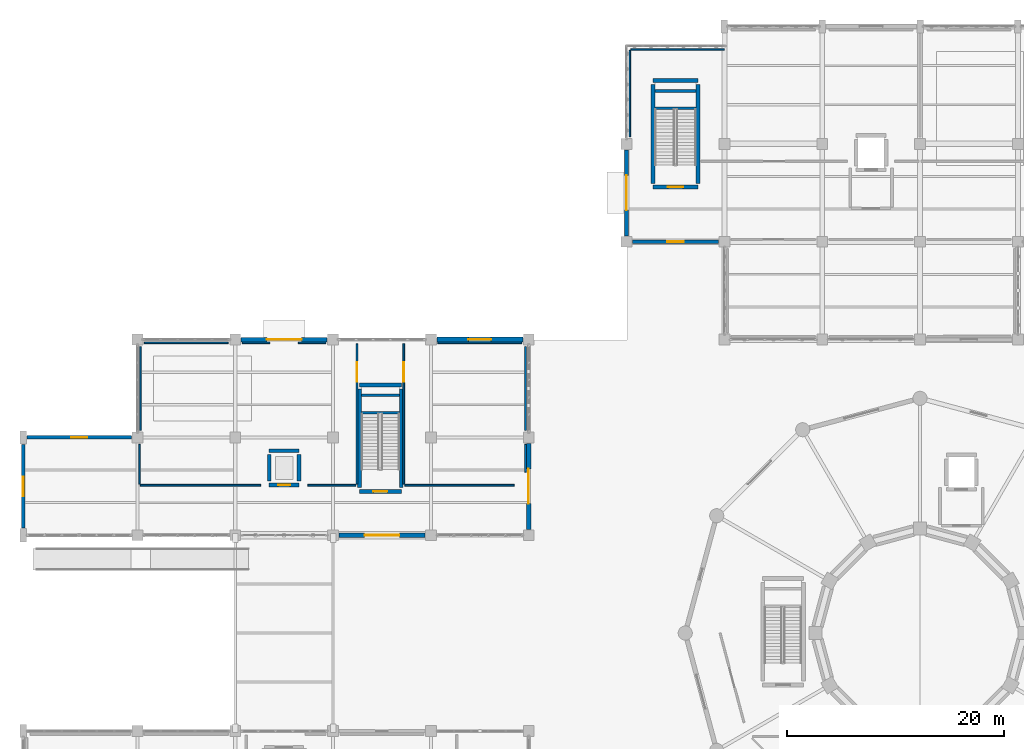
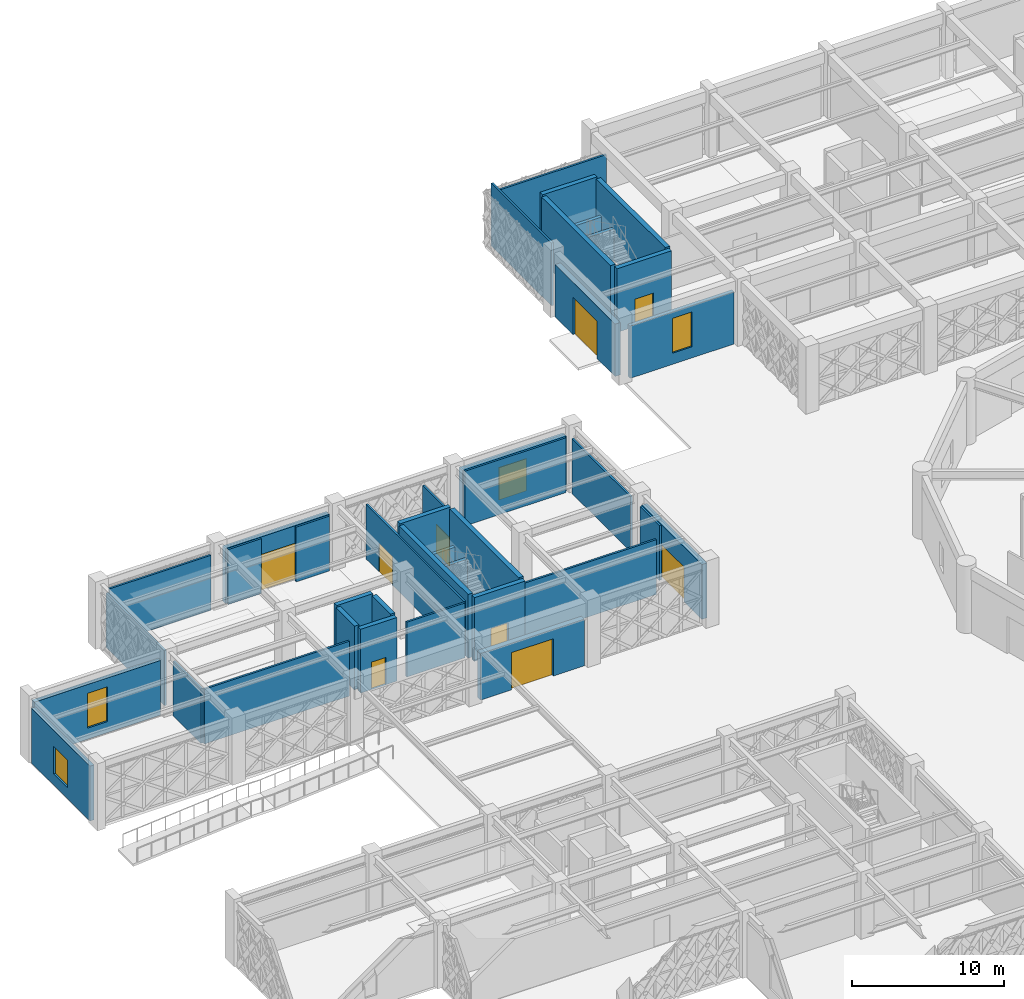
# One storey, part 118 of 140: 39 walls, 9 doors, 4 windows, 13 openings.
"""IFC4 building model written with IfcOpenShell, lengths in metres."""

from ifc_helpers import new_model, si_unit, direction, frame, frame_2d, origin, place, context, subcontext, project, spatial, rectangle, extrude, material, layer, layer_set, type_object, element, fill, save


model = new_model("IFC4")

# Units and contexts
model_context = context("Model", 3, precision=1e-05, world=origin(), true_north=direction((0.0, 1.0)))
body_context = subcontext(model_context, "Body", "Model", "MODEL_VIEW")
ifc_project = project(units=[si_unit("LENGTHUNIT", "METRE"), si_unit("AREAUNIT", "SQUARE_METRE"), si_unit("VOLUMEUNIT", "CUBIC_METRE"), si_unit("PLANEANGLEUNIT", "RADIAN"), si_unit("MASSUNIT", "GRAM", prefix="KILO")], contexts=[model_context])

# Site, building, storey
site_placement = place(None, origin())
site = spatial("IfcSite", under=ifc_project, at=site_placement, CompositionType="ELEMENT")
building_placement = place(site_placement, origin())
building = spatial("IfcBuilding", under=site, at=building_placement, Name="Haizhuo Lancet Aquarium", CompositionType="ELEMENT")
storey_placement = place(building_placement, origin())
storey = spatial("IfcBuildingStorey", under=building, at=storey_placement, Name="L00", CompositionType="ELEMENT", Elevation=0.0)

# Wall, opening, window
ifc_material_1 = material(Name="Shandong Grey Limestone Ashlar", Category="masonry")
ifc_layer_1 = layer(ifc_material_1, 0.280029296875)
ifc_layer_set_1 = layer_set([ifc_layer_1], Name="Shandong Grey Limestone Ashlar")
wall_type_1 = type_object("IfcWallType", Name="EWL-ASH-280", PredefinedType="SOLIDWALL", material=ifc_layer_set_1)
wall_1_placement = place(storey_placement, frame((-18.544921875, 36.0, 0.0), z_axis=(0.0, 0.0, 1.0), x_axis=(-1.0, 0.0, 0.0)))
wall_1 = element("IfcWall", 1, at=wall_1_placement, inside=storey, type_object=wall_type_1, Name="L00 V5 limestone facade wall 85", PredefinedType="SOLIDWALL", context=body_context, shape_type="SweptSolid", body=[
    extrude(rectangle(XDim=7.91015625, YDim=0.280029296875, at=frame_2d((3.955078125, 0.0))), origin(), (0.0, 0.0, 1.0), 4.205078125),
])
opening_1_placement = place(wall_1_placement, frame((3.205078125, 0.0, 0.89990234375)))
opening_1 = element("IfcOpeningElement", 2, at=opening_1_placement, cuts=wall_1, Name="Opening WN-03", PredefinedType="OPENING", context=body_context, shape_type="SweptSolid", body=[
    extrude(rectangle(XDim=1.5, YDim=2.800048828125, at=frame_2d((0.75, 1.39990234375))), frame((0.0, 0.14990234375, 0.0), z_axis=(0.0, -1.0, 0.0), x_axis=(1.0, 0.0, 0.0)), (0.0, 0.0, 1.0), 0.300029),
])
ifc_material_2 = material(Name="Laminated Low-E Glass", Category="glass")
window_type_1 = type_object("IfcWindowType", Name="WIN-LAN-1500x2800", PartitioningType="SINGLE_PANEL", PredefinedType="WINDOW", material=ifc_material_2)
window_1_placement = place(opening_1_placement, origin())
window_1 = element("IfcWindow", 3, at=window_1_placement, inside=storey, type_object=window_type_1, Name="L00 V5 lancet window 65", OverallHeight=2.800048828125, OverallWidth=1.5, PartitioningType="SINGLE_PANEL", PredefinedType="WINDOW", context=body_context, shape_type="SweptSolid", body=[
    extrude(rectangle(XDim=1.5, YDim=2.800048828125, at=frame_2d((0.75, 1.39990234375))), frame((0.0, 0.030029296875, 0.0), z_axis=(0.0, -1.0, 0.0), x_axis=(1.0, 0.0, 0.0)), (0.0, 0.0, 1.0), 0.06005859375),
])
fill(opening_1, window_1)

ifc_layer_2 = layer(ifc_material_1, 0.320068359375)
ifc_layer_set_2 = layer_set([ifc_layer_2], Name="Shandong Grey Limestone Ashlar")
wall_type_2 = type_object("IfcWallType", Name="EWL-ASH-320", PredefinedType="SOLIDWALL", material=ifc_layer_set_2)
wall_2_placement = place(storey_placement, frame((-82.155029296875, 18.0, 0.0), z_axis=(0.0, 0.0, 1.0), x_axis=(1.0, 0.0, 0.0)))
wall_2 = element("IfcWall", 4, at=wall_2_placement, inside=storey, type_object=wall_type_2, Name="L00 V2 limestone facade wall 49", PredefinedType="SOLIDWALL", context=body_context, shape_type="SweptSolid", body=[
    extrude(rectangle(XDim=9.610107421875, YDim=0.320068359375, at=frame_2d((4.80517578125, 0.0))), origin(), (0.0, 0.0, 1.0), 4.405029296875),
])
opening_2_placement = place(wall_2_placement, frame((4.054931640625, 0.0, 0.89990234375)))
opening_2 = element("IfcOpeningElement", 5, at=opening_2_placement, cuts=wall_2, Name="Opening WN-03", PredefinedType="OPENING", context=body_context, shape_type="SweptSolid", body=[
    extrude(rectangle(XDim=1.5, YDim=2.800048828125, at=frame_2d((0.75, 1.39990234375))), frame((0.0, 0.169921875, 0.0), z_axis=(0.0, -1.0, 0.0), x_axis=(1.0, 0.0, 0.0)), (0.0, 0.0, 1.0), 0.340068),
])
window_2_placement = place(opening_2_placement, origin())
window_2 = element("IfcWindow", 6, at=window_2_placement, inside=storey, type_object=window_type_1, Name="L00 V2 lancet window 45", OverallHeight=2.800048828125, OverallWidth=1.5, PartitioningType="SINGLE_PANEL", PredefinedType="WINDOW", context=body_context, shape_type="SweptSolid", body=[
    extrude(rectangle(XDim=1.5, YDim=2.800048828125, at=frame_2d((0.75, 1.39990234375))), frame((0.0, 0.030029296875, 0.0), z_axis=(0.0, -1.0, 0.0), x_axis=(1.0, 0.0, 0.0)), (0.0, 0.0, 1.0), 0.06005859375),
])
fill(opening_2, window_2)

wall_3_placement = place(storey_placement, frame((-82.5, 9.64501953125, 0.0), z_axis=(0.0, 0.0, 1.0), x_axis=(0.0, 1.0, 0.0)))
wall_3 = element("IfcWall", 7, at=wall_3_placement, inside=storey, type_object=wall_type_2, Name="L00 V2 limestone facade wall 54", PredefinedType="SOLIDWALL", context=body_context, shape_type="SweptSolid", body=[
    extrude(rectangle(XDim=7.7099609375, YDim=0.320068359375, at=frame_2d((3.85498046875, 0.0))), origin(), (0.0, 0.0, 1.0), 4.405029296875),
])
opening_3_placement = place(wall_3_placement, frame((2.955078125, 0.0, 0.89990234375)))
opening_3 = element("IfcOpeningElement", 8, at=opening_3_placement, cuts=wall_3, Name="Opening WN-06", PredefinedType="OPENING", context=body_context, shape_type="SweptSolid", body=[
    extrude(rectangle(XDim=1.800048828125, YDim=2.199951171875, at=frame_2d((0.89990234375, 1.10009765625))), frame((0.0, 0.169921875, 0.0), z_axis=(0.0, -1.0, 0.0), x_axis=(1.0, 0.0, 0.0)), (0.0, 0.0, 1.0), 0.340068),
])
window_type_2 = type_object("IfcWindowType", Name="WIN-LAN-1800x2200", PartitioningType="SINGLE_PANEL", PredefinedType="WINDOW", material=ifc_material_2)
window_3_placement = place(opening_3_placement, origin())
window_3 = element("IfcWindow", 9, at=window_3_placement, inside=storey, type_object=window_type_2, Name="L00 V2 lancet window 47", OverallHeight=2.199951171875, OverallWidth=1.800048828125, PartitioningType="SINGLE_PANEL", PredefinedType="WINDOW", context=body_context, shape_type="SweptSolid", body=[
    extrude(rectangle(XDim=1.800048828125, YDim=2.199951171875, at=frame_2d((0.89990234375, 1.10009765625))), frame((0.0, 0.030029296875, 0.0), z_axis=(0.0, -1.0, 0.0), x_axis=(1.0, 0.0, 0.0)), (0.0, 0.0, 1.0), 0.06005859375),
])
fill(opening_3, window_3)

# Wall, opening, door
ifc_layer_3 = layer(ifc_material_1, 0.39990234375)
ifc_layer_set_3 = layer_set([ifc_layer_3], Name="Shandong Grey Limestone Ashlar")
wall_type_3 = type_object("IfcWallType", Name="EWL-ASH-400", PredefinedType="SOLIDWALL", material=ifc_layer_set_3)
wall_4_placement = place(storey_placement, frame((-62.455078125, 27.0, 0.0), z_axis=(0.0, 0.0, 1.0), x_axis=(1.0, 0.0, 0.0)))
wall_4 = element("IfcWall", 10, at=wall_4_placement, inside=storey, type_object=wall_type_3, Name="L00 V2 pointed-arch limestone entrance portal wall", PredefinedType="SOLIDWALL", context=body_context, shape_type="SweptSolid", body=[
    extrude(rectangle(XDim=7.91015625, YDim=0.39990234375, at=frame_2d((3.955078125, 0.0))), origin(), (0.0, 0.0, 1.0), 4.405029296875),
])
opening_4_placement = place(wall_4_placement, frame((2.35498046875, 0.0, 0.0)))
opening_4 = element("IfcOpeningElement", 11, at=opening_4_placement, cuts=wall_4, Name="Opening ED-A", PredefinedType="OPENING", context=body_context, shape_type="SweptSolid", body=[
    extrude(rectangle(XDim=3.199951171875, YDim=3.0, at=frame_2d((1.60009765625, 1.5))), frame((0.0, 0.2099609375, 0.0), z_axis=(0.0, -1.0, 0.0), x_axis=(1.0, 0.0, 0.0)), (0.0, 0.0, 1.0), 0.419902),
])
ifc_material_3 = material(Name="Aluminium 6063-T6", Category="aluminium")
door_type_1 = type_object("IfcDoorType", Name="EDR-PORTAL-3200x3000", OperationType="NOTDEFINED", PredefinedType="DOOR", material=ifc_material_3)
door_1_placement = place(opening_4_placement, origin())
door_1 = element("IfcDoor", 12, at=door_1_placement, inside=storey, type_object=door_type_1, Name="Ground pedestrian entrance portal ED-05", OperationType="DOUBLE_DOOR_SINGLE_SWING", OverallHeight=3.0, OverallWidth=3.199951171875, PredefinedType="DOOR", context=body_context, shape_type="SweptSolid", body=[
    extrude(rectangle(XDim=3.199951171875, YDim=3.0, at=frame_2d((1.60009765625, 1.5))), frame((0.0, 0.02490234375, 0.0), z_axis=(0.0, -1.0, 0.0), x_axis=(1.0, 0.0, 0.0)), (0.0, 0.0, 1.0), 0.050048828125),
])
fill(opening_4, door_1)

wall_5_placement = place(storey_placement, frame((-36.0, 17.455078125, 0.0), z_axis=(0.0, 0.0, 1.0), x_axis=(0.0, -1.0, 0.0)))
wall_5 = element("IfcWall", 13, at=wall_5_placement, inside=storey, type_object=wall_type_3, Name="L00 V2 pointed-arch limestone entrance portal wall", PredefinedType="SOLIDWALL", context=body_context, shape_type="SweptSolid", body=[
    extrude(rectangle(XDim=7.91015625, YDim=0.39990234375, at=frame_2d((3.955078125, 0.0))), origin(), (0.0, 0.0, 1.0), 4.405029296875),
])
opening_5_placement = place(wall_5_placement, frame((2.35498046875, 0.0, 0.0)))
opening_5 = element("IfcOpeningElement", 14, at=opening_5_placement, cuts=wall_5, Name="Opening ED-B", PredefinedType="OPENING", context=body_context, shape_type="SweptSolid", body=[
    extrude(rectangle(XDim=3.199951171875, YDim=2.800048828125, at=frame_2d((1.60009765625, 1.39990234375))), frame((0.0, 0.2099609375, 0.0), z_axis=(0.0, -1.0, 0.0), x_axis=(1.0, 0.0, 0.0)), (0.0, 0.0, 1.0), 0.419902),
])
door_type_2 = type_object("IfcDoorType", Name="EDR-PORTAL-3200x2800", OperationType="NOTDEFINED", PredefinedType="DOOR", material=ifc_material_3)
door_2_placement = place(opening_5_placement, origin())
door_2 = element("IfcDoor", 15, at=door_2_placement, inside=storey, type_object=door_type_2, Name="Ground pedestrian entrance portal ED-06", OperationType="DOUBLE_DOOR_SINGLE_SWING", OverallHeight=2.800048828125, OverallWidth=3.199951171875, PredefinedType="DOOR", context=body_context, shape_type="SweptSolid", body=[
    extrude(rectangle(XDim=3.199951171875, YDim=2.800048828125, at=frame_2d((1.60009765625, 1.39990234375))), frame((0.0, 0.02490234375, 0.0), z_axis=(0.0, -1.0, 0.0), x_axis=(1.0, 0.0, 0.0)), (0.0, 0.0, 1.0), 0.050048828125),
])
fill(opening_5, door_2)

wall_6_placement = place(storey_placement, frame((-45.544921875, 9.0, 0.0), z_axis=(0.0, 0.0, 1.0), x_axis=(-1.0, 0.0, 0.0)))
wall_6 = element("IfcWall", 16, at=wall_6_placement, inside=storey, type_object=wall_type_3, Name="L00 V2 pointed-arch limestone entrance portal wall", PredefinedType="SOLIDWALL", context=body_context, shape_type="SweptSolid", body=[
    extrude(rectangle(XDim=7.91015625, YDim=0.39990234375, at=frame_2d((3.955078125, 0.0))), origin(), (0.0, 0.0, 1.0), 3.7548828125),
])
opening_6_placement = place(wall_6_placement, frame((2.35498046875, 0.0, 0.0)))
opening_6 = element("IfcOpeningElement", 17, at=opening_6_placement, cuts=wall_6, Name="Opening ED-A", PredefinedType="OPENING", context=body_context, shape_type="SweptSolid", body=[
    extrude(rectangle(XDim=3.199951171875, YDim=3.0, at=frame_2d((1.60009765625, 1.5))), frame((0.0, 0.2099609375, 0.0), z_axis=(0.0, -1.0, 0.0), x_axis=(1.0, 0.0, 0.0)), (0.0, 0.0, 1.0), 0.419902),
])
door_3_placement = place(opening_6_placement, origin())
door_3 = element("IfcDoor", 18, at=door_3_placement, inside=storey, type_object=door_type_1, Name="Ground pedestrian entrance portal ED-07", OperationType="DOUBLE_DOOR_SINGLE_SWING", OverallHeight=3.0, OverallWidth=3.199951171875, PredefinedType="DOOR", context=body_context, shape_type="SweptSolid", body=[
    extrude(rectangle(XDim=3.199951171875, YDim=3.0, at=frame_2d((1.60009765625, 1.5))), frame((0.0, 0.02490234375, 0.0), z_axis=(0.0, -1.0, 0.0), x_axis=(1.0, 0.0, 0.0)), (0.0, 0.0, 1.0), 0.050048828125),
])
fill(opening_6, door_3)

wall_7_placement = place(storey_placement, frame((-27.0, 36.544921875, 0.0), z_axis=(0.0, 0.0, 1.0), x_axis=(0.0, 1.0, 0.0)))
wall_7 = element("IfcWall", 19, at=wall_7_placement, inside=storey, type_object=wall_type_3, Name="L00 V5 pointed-arch limestone entrance portal wall", PredefinedType="SOLIDWALL", context=body_context, shape_type="SweptSolid", body=[
    extrude(rectangle(XDim=7.91015625, YDim=0.39990234375, at=frame_2d((3.955078125, 0.0))), origin(), (0.0, 0.0, 1.0), 4.205078125),
])
opening_7_placement = place(wall_7_placement, frame((2.35498046875, 0.0, 0.0)))
opening_7 = element("IfcOpeningElement", 20, at=opening_7_placement, cuts=wall_7, Name="Opening ED-A", PredefinedType="OPENING", context=body_context, shape_type="SweptSolid", body=[
    extrude(rectangle(XDim=3.199951171875, YDim=3.0, at=frame_2d((1.60009765625, 1.5))), frame((0.0, 0.2099609375, 0.0), z_axis=(0.0, -1.0, 0.0), x_axis=(1.0, 0.0, 0.0)), (0.0, 0.0, 1.0), 0.419902),
])
door_4_placement = place(opening_7_placement, origin())
door_4 = element("IfcDoor", 21, at=door_4_placement, inside=storey, type_object=door_type_1, Name="Ground pedestrian entrance portal ED-17", OperationType="DOUBLE_DOOR_SINGLE_SWING", OverallHeight=3.0, OverallWidth=3.199951171875, PredefinedType="DOOR", context=body_context, shape_type="SweptSolid", body=[
    extrude(rectangle(XDim=3.199951171875, YDim=3.0, at=frame_2d((1.60009765625, 1.5))), frame((0.0, 0.02490234375, 0.0), z_axis=(0.0, -1.0, 0.0), x_axis=(1.0, 0.0, 0.0)), (0.0, 0.0, 1.0), 0.050048828125),
])
fill(opening_7, door_4)

# Wall, opening, window
ifc_layer_4 = layer(ifc_material_1, 0.449951171875)
ifc_layer_set_4 = layer_set([ifc_layer_4], Name="Shandong Grey Limestone Ashlar")
wall_type_4 = type_object("IfcWallType", Name="EWL-ASH-450", PredefinedType="SOLIDWALL", material=ifc_layer_set_4)
wall_8_placement = place(storey_placement, frame((-44.455078125, 27.0, 0.0), z_axis=(0.0, 0.0, 1.0), x_axis=(1.0, 0.0, 0.0)))
wall_8 = element("IfcWall", 22, at=wall_8_placement, inside=storey, type_object=wall_type_4, Name="L00 V2 limestone facade wall 51", PredefinedType="SOLIDWALL", context=body_context, shape_type="SweptSolid", body=[
    extrude(rectangle(XDim=7.91015625, YDim=0.449951171875, at=frame_2d((3.955078125, 0.0))), origin(), (0.0, 0.0, 1.0), 4.405029296875),
])
opening_8_placement = place(wall_8_placement, frame((2.905029296875, 0.0, 0.89990234375)))
opening_8 = element("IfcOpeningElement", 23, at=opening_8_placement, cuts=wall_8, Name="Opening WN-07", PredefinedType="OPENING", context=body_context, shape_type="SweptSolid", body=[
    extrude(rectangle(XDim=2.10009765625, YDim=2.60009765625, at=frame_2d((1.050048828125, 1.300048828125))), frame((0.0, 0.23486328125, 0.0), z_axis=(0.0, -1.0, 0.0), x_axis=(1.0, 0.0, 0.0)), (0.0, 0.0, 1.0), 0.469951),
])
window_type_3 = type_object("IfcWindowType", Name="WIN-LAN-2100x2600", PartitioningType="SINGLE_PANEL", PredefinedType="WINDOW", material=ifc_material_2)
window_4_placement = place(opening_8_placement, origin())
window_4 = element("IfcWindow", 24, at=window_4_placement, inside=storey, type_object=window_type_3, Name="L00 V2 lancet window 46", OverallHeight=2.60009765625, OverallWidth=2.10009765625, PartitioningType="SINGLE_PANEL", PredefinedType="WINDOW", context=body_context, shape_type="SweptSolid", body=[
    extrude(rectangle(XDim=2.10009765625, YDim=2.60009765625, at=frame_2d((1.050048828125, 1.300048828125))), frame((0.0, 0.030029296875, 0.0), z_axis=(0.0, -1.0, 0.0), x_axis=(1.0, 0.0, 0.0)), (0.0, 0.0, 1.0), 0.06005859375),
])
fill(opening_8, window_4)

# Walls
ifc_material_4 = material(Name="Gypsum Fireboard Partition")
ifc_layer_5 = layer(ifc_material_4, 0.14990234375)
ifc_layer_set_5 = layer_set([ifc_layer_5], Name="Gypsum Fireboard Partition")
wall_type_5 = type_object("IfcWallType", Name="IWL-STD-150", PredefinedType="PARTITIONING", material=ifc_layer_set_5)
wall_9_placement = place(storey_placement, frame((-71.800048828125, 17.360107421875, 0.0), z_axis=(0.0, 0.0, 1.0), x_axis=(0.0, -1.0, 0.0)))
element("IfcWall", 25, at=wall_9_placement, inside=storey, type_object=wall_type_5, Name="L00 partition wall 91", PredefinedType="PARTITIONING", context=body_context, shape_type="SweptSolid", body=[
    extrude(rectangle(XDim=3.66015625, YDim=0.14990234375, at=frame_2d((1.830078125, 0.0))), origin(), (0.0, 0.0, 1.0), 4.405029296875),
])
wall_10_placement = place(storey_placement, frame((-71.719970703125, 13.60205078125, 0.0), z_axis=(0.0, 0.0, 1.0), x_axis=(0.999999984365, 0.000176834657, 0.0)))
element("IfcWall", 26, at=wall_10_placement, inside=storey, type_object=wall_type_5, Name="L00 partition wall 92", PredefinedType="PARTITIONING", context=body_context, shape_type="SweptSolid", body=[
    extrude(rectangle(XDim=11.044921875, YDim=0.14990234375, at=frame_2d((5.5224609375, 0.0))), origin(), (0.0, 0.0, 1.0), 4.405029296875),
])
wall_11_placement = place(storey_placement, frame((-56.324951171875, 13.60009765625, 0.0), z_axis=(0.0, 0.0, 1.0), x_axis=(1.0, 0.0, 0.0)))
element("IfcWall", 27, at=wall_11_placement, inside=storey, type_object=wall_type_5, Name="L00 partition wall 93", PredefinedType="PARTITIONING", context=body_context, shape_type="SweptSolid", body=[
    extrude(rectangle(XDim=4.425048828125, YDim=0.14990234375, at=frame_2d((2.21240234375, 0.0))), origin(), (0.0, 0.0, 1.0), 4.405029296875),
])

# Wall, opening, door
wall_12_placement = place(storey_placement, frame((-51.800048828125, 13.699951171875, 0.0), z_axis=(0.0, 0.0, 1.0), x_axis=(0.0, 1.0, 0.0)))
wall_12 = element("IfcWall", 28, at=wall_12_placement, inside=storey, type_object=wall_type_5, Name="L00 partition wall 94", PredefinedType="PARTITIONING", context=body_context, shape_type="SweptSolid", body=[
    extrude(rectangle(XDim=12.900146484375, YDim=0.14990234375, at=frame_2d((6.4501953125, 0.0))), origin(), (0.0, 0.0, 1.0), 4.405029296875),
])
opening_9_placement = place(wall_12_placement, frame((9.419921875, 0.0, 0.0)))
opening_9 = element("IfcOpeningElement", 29, at=opening_9_placement, cuts=wall_12, Name="Opening D-02", PredefinedType="OPENING", context=body_context, shape_type="SweptSolid", body=[
    extrude(rectangle(XDim=1.800048828125, YDim=2.300048828125, at=frame_2d((0.89990234375, 1.14990234375))), frame((0.0, 0.0849609375, 0.0), z_axis=(0.0, -1.0, 0.0), x_axis=(1.0, 0.0, 0.0)), (0.0, 0.0, 1.0), 0.169902),
])
door_type_3 = type_object("IfcDoorType", Name="IDR-GAL-1800x2300", OperationType="NOTDEFINED", PredefinedType="DOOR", material=ifc_material_3)
door_5_placement = place(opening_9_placement, origin())
door_5 = element("IfcDoor", 30, at=door_5_placement, inside=storey, type_object=door_type_3, Name="L00 Underwater Viewing Tunnel door", OperationType="DOUBLE_DOOR_SINGLE_SWING", OverallHeight=2.300048828125, OverallWidth=1.800048828125, PredefinedType="DOOR", context=body_context, shape_type="SweptSolid", body=[
    extrude(rectangle(XDim=1.800048828125, YDim=2.300048828125, at=frame_2d((0.89990234375, 1.14990234375))), frame((0.0, 0.02490234375, 0.0), z_axis=(0.0, -1.0, 0.0), x_axis=(1.0, 0.0, 0.0)), (0.0, 0.0, 1.0), 0.050048828125),
])
fill(opening_9, door_5)

# Walls
for number, where, z_axis, x_axis, name in (
    (31, (-54.64990234375, 26.699951171875, 0.0), (0.0, 0.0, 1.0), (-1.0, 0.0, 0.0), "L00 partition wall 95"),
    (32, (-59.81494140625, 26.699951171875, 0.0), (0.0, 0.0, 1.0), (-1.0, 0.0, 0.0), "L00 partition wall 96"),
):
    element("IfcWall", number, at=place(storey_placement, frame(where, z_axis=z_axis, x_axis=x_axis)), inside=storey, type_object=wall_type_5, Name=name, PredefinedType="PARTITIONING", context=body_context, shape_type="SweptSolid", body=[
        extrude(rectangle(XDim=2.53515625, YDim=0.14990234375, at=frame_2d((1.267578125, 0.0))), origin(), (0.0, 0.0, 1.0), 4.405029296875),
    ])
for number, where, z_axis, x_axis, name in (
    (33, (-63.64990234375, 26.699951171875, 0.0), (0.0, 0.0, 1.0), (-1.0, 0.0, 0.0), "L00 partition wall 97"),
    (34, (-71.699951171875, 26.35009765625, 0.0), (0.0, 0.0, 1.0), (0.0, -1.0, 0.0), "L00 partition wall 98"),
):
    element("IfcWall", number, at=place(storey_placement, frame(where, z_axis=z_axis, x_axis=x_axis)), inside=storey, type_object=wall_type_5, Name=name, PredefinedType="PARTITIONING", context=body_context, shape_type="SweptSolid", body=[
        extrude(rectangle(XDim=7.7001953125, YDim=0.14990234375, at=frame_2d((3.85009765625, 0.0))), origin(), (0.0, 0.0, 1.0), 4.405029296875),
    ])

# Wall, opening, door
wall_13_placement = place(storey_placement, frame((-47.498046875, 26.6201171875, 0.0), z_axis=(0.0, 0.0, 1.0), x_axis=(-0.000151168721, -0.999999988574, 0.0)))
wall_13 = element("IfcWall", 35, at=wall_13_placement, inside=storey, type_object=wall_type_5, Name="L00 partition wall 99", PredefinedType="PARTITIONING", context=body_context, shape_type="SweptSolid", body=[
    extrude(rectangle(XDim=12.920166015625, YDim=0.14990234375, at=frame_2d((6.4599609375, 0.0))), origin(), (0.0, 0.0, 1.0), 4.405029296875),
])
opening_10_placement = place(wall_13_placement, frame((1.68408203125, 0.0, 0.0)))
opening_10 = element("IfcOpeningElement", 36, at=opening_10_placement, cuts=wall_13, Name="Opening D-02", PredefinedType="OPENING", context=body_context, shape_type="SweptSolid", body=[
    extrude(rectangle(XDim=1.800048828125, YDim=2.300048828125, at=frame_2d((0.89990234375, 1.14990234375))), frame((0.0, 0.0849609375, 0.0), z_axis=(0.0, -1.0, 0.0), x_axis=(1.0, 0.0, 0.0)), (0.0, 0.0, 1.0), 0.169902),
])
door_6_placement = place(opening_10_placement, origin())
door_6 = element("IfcDoor", 37, at=door_6_placement, inside=storey, type_object=door_type_3, Name="L00 Pelagic Tunnel Exhibit Gallery door", OperationType="DOUBLE_DOOR_SINGLE_SWING", OverallHeight=2.300048828125, OverallWidth=1.800048828125, PredefinedType="DOOR", context=body_context, shape_type="SweptSolid", body=[
    extrude(rectangle(XDim=1.800048828125, YDim=2.300048828125, at=frame_2d((0.89990234375, 1.14990234375))), frame((0.0, 0.02490234375, 0.0), z_axis=(0.0, -1.0, 0.0), x_axis=(1.0, 0.0, 0.0)), (0.0, 0.0, 1.0), 0.050048828125),
])
fill(opening_10, door_6)

# Walls
wall_14_placement = place(storey_placement, frame((-47.39990234375, 13.60009765625, 0.0), z_axis=(0.0, 0.0, 1.0), x_axis=(1.0, 0.0, 0.0)))
element("IfcWall", 38, at=wall_14_placement, inside=storey, type_object=wall_type_5, Name="L00 partition wall 100", PredefinedType="PARTITIONING", context=body_context, shape_type="SweptSolid", body=[
    extrude(rectangle(XDim=10.054931640625, YDim=0.14990234375, at=frame_2d((5.02734375, 0.0))), origin(), (0.0, 0.0, 1.0), 4.405029296875),
])
wall_15_placement = place(storey_placement, frame((-36.300048828125, 14.81494140625, 0.0), z_axis=(0.0, 0.0, 1.0), x_axis=(0.0, 1.0, 0.0)))
element("IfcWall", 39, at=wall_15_placement, inside=storey, type_object=wall_type_5, Name="L00 partition wall 101", PredefinedType="PARTITIONING", context=body_context, shape_type="SweptSolid", body=[
    extrude(rectangle(XDim=2.53515625, YDim=0.14990234375, at=frame_2d((1.267578125, 0.0))), origin(), (0.0, 0.0, 1.0), 4.405029296875),
])
for number, where, z_axis, x_axis, name in (
    (40, (-36.300048828125, 18.64990234375, 0.0), (0.0, 0.0, 1.0), (0.0, 1.0, 0.0), "L00 partition wall 102"),
    (41, (-36.64990234375, 26.699951171875, 0.0), (0.0, 0.0, 1.0), (-1.0, 0.0, 0.0), "L00 partition wall 103"),
):
    element("IfcWall", number, at=place(storey_placement, frame(where, z_axis=z_axis, x_axis=x_axis)), inside=storey, type_object=wall_type_5, Name=name, PredefinedType="PARTITIONING", context=body_context, shape_type="SweptSolid", body=[
        extrude(rectangle(XDim=7.7001953125, YDim=0.14990234375, at=frame_2d((3.85009765625, 0.0))), origin(), (0.0, 0.0, 1.0), 4.405029296875),
    ])
wall_16_placement = place(storey_placement, frame((-18.0009765625, 53.699951171875, 0.0), z_axis=(0.0, 0.0, 1.0), x_axis=(-1.0, 0.0, 0.0)))
element("IfcWall", 42, at=wall_16_placement, inside=storey, type_object=wall_type_5, Name="L00 partition wall 160", PredefinedType="PARTITIONING", context=body_context, shape_type="SweptSolid", body=[
    extrude(rectangle(XDim=8.59912109375, YDim=0.14990234375, at=frame_2d((4.299560546875, 0.0))), origin(), (0.0, 0.0, 1.0), 4.2548828125),
])
wall_17_placement = place(storey_placement, frame((-26.699951171875, 53.60009765625, 0.0), z_axis=(0.0, 0.0, 1.0), x_axis=(0.0, -1.0, 0.0)))
element("IfcWall", 43, at=wall_17_placement, inside=storey, type_object=wall_type_5, Name="L00 partition wall 161", PredefinedType="PARTITIONING", context=body_context, shape_type="SweptSolid", body=[
    extrude(rectangle(XDim=7.9501953125, YDim=0.14990234375, at=frame_2d((3.97509765625, 0.0))), origin(), (0.0, 0.0, 1.0), 5.050048828125),
])
ifc_material_5 = material(Name="Concrete C40/50", Category="concrete")
ifc_layer_6 = layer(ifc_material_5, 0.35009765625)
ifc_layer_set_6 = layer_set([ifc_layer_6], Name="Concrete C40/50")
wall_type_6 = type_object("IfcWallType", Name="WL-CORE-350", PredefinedType="SHEAR", material=ifc_layer_set_6)
for number, where, z_axis, x_axis, name in (
    (44, (-51.39990234375, 20.27490234375, 0.0), (0.0, 0.0, 1.0), (1.0, 0.0, 0.0), "L00 ST-03 landing support wall"),
    (45, (-51.39990234375, 21.875, 0.0), (0.0, 0.0, 1.0), (1.0, 0.0, 0.0), "L00 ST-03 far landing support wall"),
):
    element("IfcWall", number, at=place(storey_placement, frame(where, z_axis=z_axis, x_axis=x_axis)), inside=storey, type_object=wall_type_6, Name=name, PredefinedType="SHEAR", context=body_context, shape_type="SweptSolid", body=[
        extrude(rectangle(XDim=3.5, YDim=0.25, at=frame_2d((1.75, 0.0))), origin(), (0.0, 0.0, 1.0), 2.5),
    ])

# Wall, opening, door
wall_18_placement = place(storey_placement, frame((-47.72509765625, 13.02490234375, 0.0), z_axis=(0.0, 0.0, 1.0), x_axis=(-1.0, 0.0, 0.0)))
wall_18 = element("IfcWall", 46, at=wall_18_placement, inside=storey, type_object=wall_type_6, Name="L00 ST-03 core shear wall S", PredefinedType="SHEAR", context=body_context, shape_type="SweptSolid", body=[
    extrude(rectangle(XDim=3.849853515625, YDim=0.35009765625, at=frame_2d((1.9248046875, 0.0))), origin(), (0.0, 0.0, 1.0), 5.1201171875),
])
opening_11_placement = place(wall_18_placement, frame((1.27490234375, 0.0, 0.0)))
opening_11 = element("IfcOpeningElement", 47, at=opening_11_placement, cuts=wall_18, Name="Opening FD-02", PredefinedType="OPENING", context=body_context, shape_type="SweptSolid", body=[
    extrude(rectangle(XDim=1.300048828125, YDim=2.199951171875, at=frame_2d((0.64990234375, 1.10009765625))), frame((0.0, 0.18505859375, 0.0), z_axis=(0.0, -1.0, 0.0), x_axis=(1.0, 0.0, 0.0)), (0.0, 0.0, 1.0), 0.370098),
])
ifc_material_6 = material(Name="Steel S355", Category="steel")
door_type_4 = type_object("IfcDoorType", Name="IDR-STAIR-1300x2200", OperationType="NOTDEFINED", PredefinedType="DOOR", material=ifc_material_6)
door_7_placement = place(opening_11_placement, origin())
door_7 = element("IfcDoor", 48, at=door_7_placement, inside=storey, type_object=door_type_4, Name="L00 ST-03 stairwell fire door", OperationType="SINGLE_SWING_RIGHT", OverallHeight=2.199951171875, OverallWidth=1.300048828125, PredefinedType="DOOR", context=body_context, shape_type="SweptSolid", body=[
    extrude(rectangle(XDim=1.300048828125, YDim=2.199951171875, at=frame_2d((0.64990234375, 1.10009765625))), frame((0.0, 0.02490234375, 0.0), z_axis=(0.0, -1.0, 0.0), x_axis=(1.0, 0.0, 0.0)), (0.0, 0.0, 1.0), 0.050048828125),
])
fill(opening_11, door_7)

# Walls
wall_19_placement = place(storey_placement, frame((-51.574951171875, 22.824951171875, 0.0), z_axis=(0.0, 0.0, 1.0), x_axis=(1.0, 0.0, 0.0)))
element("IfcWall", 49, at=wall_19_placement, inside=storey, type_object=wall_type_6, Name="L00 ST-03 core shear wall N", PredefinedType="SHEAR", context=body_context, shape_type="SweptSolid", body=[
    extrude(rectangle(XDim=3.849853515625, YDim=0.35009765625, at=frame_2d((1.9248046875, 0.0))), origin(), (0.0, 0.0, 1.0), 5.1201171875),
])
for number, where, z_axis, x_axis, name in (
    (50, (-51.574951171875, 13.375, 0.0), (0.0, 0.0, 1.0), (0.0, 1.0, 0.0), "L00 ST-03 core shear wall W"),
    (51, (-47.72509765625, 13.375, 0.0), (0.0, 0.0, 1.0), (0.0, 1.0, 0.0), "L00 ST-03 core shear wall E"),
):
    element("IfcWall", number, at=place(storey_placement, frame(where, z_axis=z_axis, x_axis=x_axis)), inside=storey, type_object=wall_type_6, Name=name, PredefinedType="SHEAR", context=body_context, shape_type="SweptSolid", body=[
        extrude(rectangle(XDim=9.10009765625, YDim=0.35009765625, at=frame_2d((4.550048828125, 0.0))), origin(), (0.0, 0.0, 1.0), 5.1201171875),
    ])
for number, where, z_axis, x_axis, name in (
    (52, (-24.39990234375, 48.27490234375, 0.0), (0.0, 0.0, 1.0), (1.0, 0.0, 0.0), "L00 ST-07 landing support wall"),
    (53, (-24.39990234375, 49.875, 0.0), (0.0, 0.0, 1.0), (1.0, 0.0, 0.0), "L00 ST-07 far landing support wall"),
):
    element("IfcWall", number, at=place(storey_placement, frame(where, z_axis=z_axis, x_axis=x_axis)), inside=storey, type_object=wall_type_6, Name=name, PredefinedType="SHEAR", context=body_context, shape_type="SweptSolid", body=[
        extrude(rectangle(XDim=3.7998046875, YDim=0.25, at=frame_2d((1.89990234375, 0.0))), origin(), (0.0, 0.0, 1.0), 2.5),
    ])

# Wall, opening, door
wall_20_placement = place(storey_placement, frame((-20.425048828125, 41.02490234375, 0.0), z_axis=(0.0, 0.0, 1.0), x_axis=(-1.0, 0.0, 0.0)))
wall_20 = element("IfcWall", 54, at=wall_20_placement, inside=storey, type_object=wall_type_6, Name="L00 ST-07 core shear wall S", PredefinedType="SHEAR", context=body_context, shape_type="SweptSolid", body=[
    extrude(rectangle(XDim=4.14990234375, YDim=0.35009765625, at=frame_2d((2.074951171875, 0.0))), origin(), (0.0, 0.0, 1.0), 5.1201171875),
])
opening_12_placement = place(wall_20_placement, frame((1.375, 0.0, 0.0)))
opening_12 = element("IfcOpeningElement", 55, at=opening_12_placement, cuts=wall_20, Name="Opening FD-01", PredefinedType="OPENING", context=body_context, shape_type="SweptSolid", body=[
    extrude(rectangle(XDim=1.39990234375, YDim=2.199951171875, at=frame_2d((0.699951171875, 1.10009765625))), frame((0.0, 0.18505859375, 0.0), z_axis=(0.0, -1.0, 0.0), x_axis=(1.0, 0.0, 0.0)), (0.0, 0.0, 1.0), 0.370098),
])
door_type_5 = type_object("IfcDoorType", Name="IDR-STAIR-1400x2200", OperationType="NOTDEFINED", PredefinedType="DOOR", material=ifc_material_6)
door_8_placement = place(opening_12_placement, origin())
door_8 = element("IfcDoor", 56, at=door_8_placement, inside=storey, type_object=door_type_5, Name="L00 ST-07 stairwell fire door", OperationType="SINGLE_SWING_RIGHT", OverallHeight=2.199951171875, OverallWidth=1.39990234375, PredefinedType="DOOR", context=body_context, shape_type="SweptSolid", body=[
    extrude(rectangle(XDim=1.39990234375, YDim=2.199951171875, at=frame_2d((0.699951171875, 1.10009765625))), frame((0.0, 0.02490234375, 0.0), z_axis=(0.0, -1.0, 0.0), x_axis=(1.0, 0.0, 0.0)), (0.0, 0.0, 1.0), 0.050048828125),
])
fill(opening_12, door_8)

# Walls
wall_21_placement = place(storey_placement, frame((-24.574951171875, 50.824951171875, 0.0), z_axis=(0.0, 0.0, 1.0), x_axis=(1.0, 0.0, 0.0)))
element("IfcWall", 57, at=wall_21_placement, inside=storey, type_object=wall_type_6, Name="L00 ST-07 core shear wall N", PredefinedType="SHEAR", context=body_context, shape_type="SweptSolid", body=[
    extrude(rectangle(XDim=4.14990234375, YDim=0.35009765625, at=frame_2d((2.074951171875, 0.0))), origin(), (0.0, 0.0, 1.0), 5.1201171875),
])
for number, where, z_axis, x_axis, name in (
    (58, (-24.574951171875, 41.375, 0.0), (0.0, 0.0, 1.0), (0.0, 1.0, 0.0), "L00 ST-07 core shear wall W"),
    (59, (-20.425048828125, 41.375, 0.0), (0.0, 0.0, 1.0), (0.0, 1.0, 0.0), "L00 ST-07 core shear wall E"),
):
    element("IfcWall", number, at=place(storey_placement, frame(where, z_axis=z_axis, x_axis=x_axis)), inside=storey, type_object=wall_type_6, Name=name, PredefinedType="SHEAR", context=body_context, shape_type="SweptSolid", body=[
        extrude(rectangle(XDim=9.10009765625, YDim=0.35009765625, at=frame_2d((4.550048828125, 0.0))), origin(), (0.0, 0.0, 1.0), 5.1201171875),
    ])

# Wall, opening, door
wall_22_placement = place(storey_placement, frame((-59.875, 13.625, 0.0), z_axis=(0.0, 0.0, 1.0), x_axis=(1.0, 0.0, 0.0)))
wall_22 = element("IfcWall", 60, at=wall_22_placement, inside=storey, type_object=wall_type_6, Name="L00 LP-04 lift shaft wall -Y", PredefinedType="SHEAR", context=body_context, shape_type="SweptSolid", body=[
    extrude(rectangle(XDim=2.75, YDim=0.35009765625, at=frame_2d((1.375, 0.0))), origin(), (0.0, 0.0, 1.0), 5.1201171875),
])
opening_13_placement = place(wall_22_placement, frame((0.824951171875, 0.0, 0.0)))
opening_13 = element("IfcOpeningElement", 61, at=opening_13_placement, cuts=wall_22, Name="Opening LD-01", PredefinedType="OPENING", context=body_context, shape_type="SweptSolid", body=[
    extrude(rectangle(XDim=1.10009765625, YDim=2.199951171875, at=frame_2d((0.550048828125, 1.10009765625))), frame((0.0, 0.18505859375, 0.0), z_axis=(0.0, -1.0, 0.0), x_axis=(1.0, 0.0, 0.0)), (0.0, 0.0, 1.0), 0.370098),
])
door_type_6 = type_object("IfcDoorType", Name="IDR-LIFT-1100x2200", OperationType="NOTDEFINED", PredefinedType="DOOR", material=ifc_material_6)
door_9_placement = place(opening_13_placement, origin())
door_9 = element("IfcDoor", 62, at=door_9_placement, inside=storey, type_object=door_type_6, Name="L00 LP-04 sliding lift landing door", OperationType="DOUBLE_DOOR_SLIDING", OverallHeight=2.199951171875, OverallWidth=1.10009765625, PredefinedType="DOOR", context=body_context, shape_type="SweptSolid", body=[
    extrude(rectangle(XDim=1.10009765625, YDim=2.199951171875, at=frame_2d((0.550048828125, 1.10009765625))), frame((0.0, 0.02490234375, 0.0), z_axis=(0.0, -1.0, 0.0), x_axis=(1.0, 0.0, 0.0)), (0.0, 0.0, 1.0), 0.050048828125),
])
fill(opening_13, door_9)

# Walls
wall_23_placement = place(storey_placement, frame((-57.125, 16.77490234375, 0.0), z_axis=(0.0, 0.0, 1.0), x_axis=(-1.0, 0.0, 0.0)))
element("IfcWall", 63, at=wall_23_placement, inside=storey, type_object=wall_type_6, Name="L00 LP-04 lift shaft wall +Y", PredefinedType="SHEAR", context=body_context, shape_type="SweptSolid", body=[
    extrude(rectangle(XDim=2.75, YDim=0.35009765625, at=frame_2d((1.375, 0.0))), origin(), (0.0, 0.0, 1.0), 5.1201171875),
])
for number, where, z_axis, x_axis, name in (
    (64, (-59.875, 13.97509765625, 0.0), (0.0, 0.0, 1.0), (0.0, 1.0, 0.0), "L00 LP-04 lift shaft wall -X"),
    (65, (-57.125, 13.97509765625, 0.0), (0.0, 0.0, 1.0), (0.0, 1.0, 0.0), "L00 LP-04 lift shaft wall +X"),
):
    element("IfcWall", number, at=place(storey_placement, frame(where, z_axis=z_axis, x_axis=x_axis)), inside=storey, type_object=wall_type_6, Name=name, PredefinedType="SHEAR", context=body_context, shape_type="SweptSolid", body=[
        extrude(rectangle(XDim=2.449951171875, YDim=0.35009765625, at=frame_2d((1.22509765625, 0.0))), origin(), (0.0, 0.0, 1.0), 5.1201171875),
    ])

save(model, "model.ifc")
